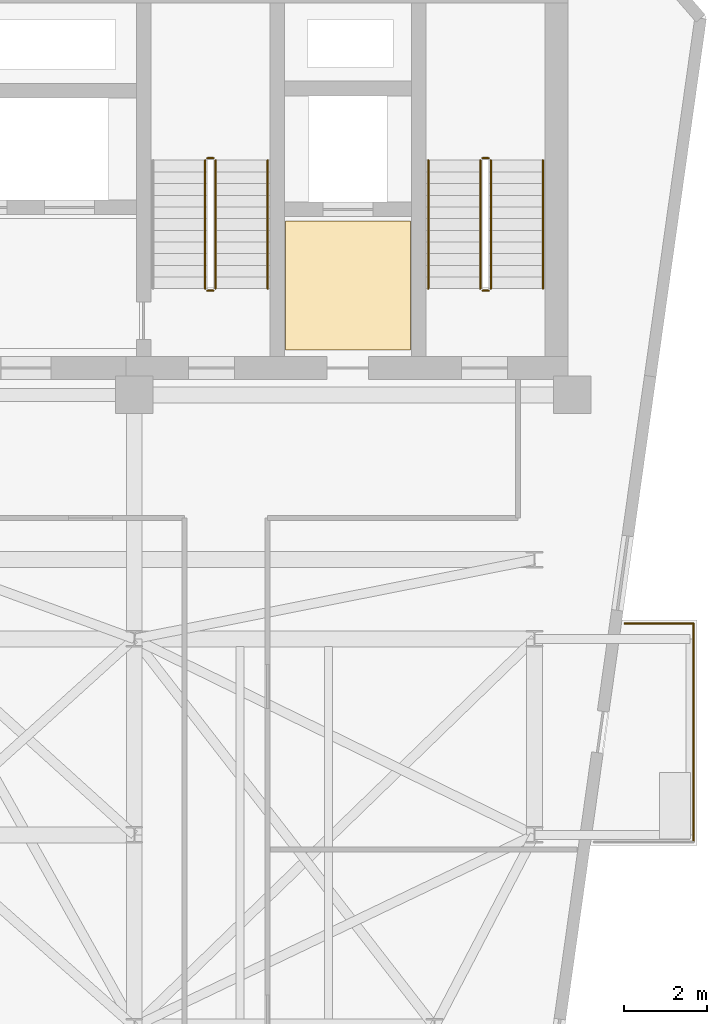
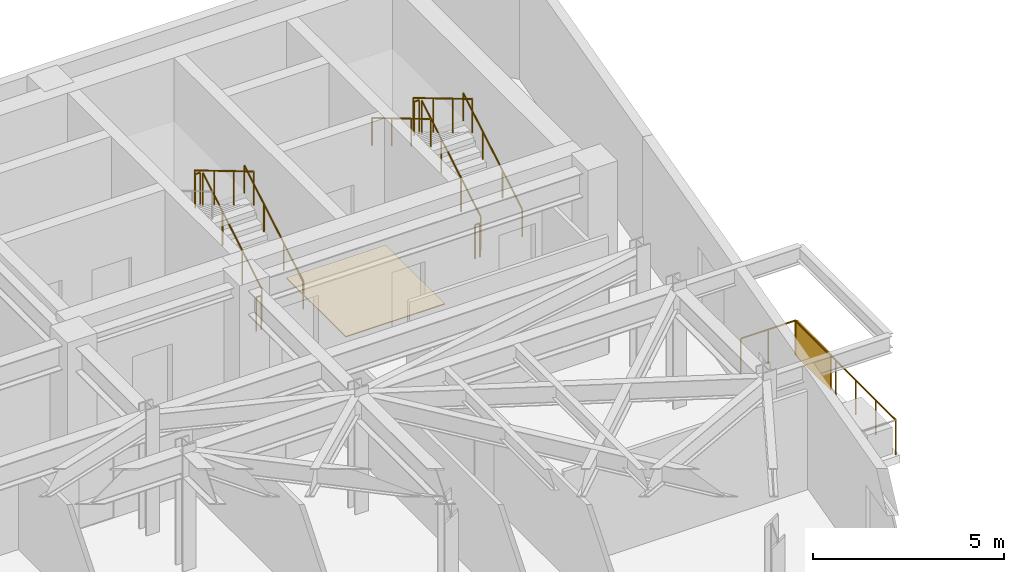
# One storey, part 21 of 21: 13 railings, 1 covering, 1 shading device.
"""IFC4 building model written with IfcOpenShell, lengths in metres."""

from ifc_helpers import new_model, si_unit, direction, frame, origin, origin_2d, place, context, subcontext, project, spatial, polyline, rectangle, circle, outline, extrude, material, layer, layer_set, type_object, element, save


model = new_model("IFC4")

# Units and contexts
model_context = context("Model", 3, precision=1e-05, world=origin(), true_north=direction((0.0, 1.0)))
body_context = subcontext(model_context, "Body", "Model", "MODEL_VIEW")
ifc_project = project(units=[si_unit("LENGTHUNIT", "METRE"), si_unit("AREAUNIT", "SQUARE_METRE"), si_unit("VOLUMEUNIT", "CUBIC_METRE"), si_unit("PLANEANGLEUNIT", "RADIAN"), si_unit("MASSUNIT", "GRAM", prefix="KILO")], contexts=[model_context])

# Site, building, storey
site_placement = place(None, origin())
site = spatial("IfcSite", under=ifc_project, at=site_placement, CompositionType="ELEMENT")
building_placement = place(site_placement, origin())
building = spatial("IfcBuilding", under=site, at=building_placement, Name="Kravanh Interchange Tower", CompositionType="ELEMENT")
storey_placement = place(building_placement, frame((0.0, 0.0, 200.5)))
storey = spatial("IfcBuildingStorey", under=building, at=storey_placement, Name="L48", CompositionType="ELEMENT", Elevation=200.5)

# Covering
ifc_material_1 = material(Name="Cementitious Terrazzo Tile")
ifc_layer_1 = layer(ifc_material_1, 0.030029296875)
ifc_layer_set_1 = layer_set([ifc_layer_1], Name="Honed Terrazzo Lobby Flooring 30mm")
covering_type = type_object("IfcCoveringType", Name="Honed Terrazzo Lobby Flooring 30mm", PredefinedType="FLOORING", material=ifc_layer_set_1)
covering_placement = place(storey_placement, origin())
element("IfcCovering", 1, at=covering_placement, inside=storey, type_object=covering_type, Name="L48 Service Lift Lobby Floor Finish", PredefinedType="FLOORING", context=body_context, shape_type="SweptSolid", body=[
    extrude(outline(polyline([(59.6298828125, 41.52001953125), (62.6201171875, 41.52001953125), (62.6201171875, 38.429931640625), (59.6298828125, 38.429931640625), (59.6298828125, 41.52001953125)])), origin(), (0.0, 0.0, 1.0), 0.030029296875),
])

# Shading device
ifc_material_2 = material(Name="Perforated Anodised Bronze Aluminium", Category="aluminium")
ifc_layer_2 = layer(ifc_material_2, 0.0400390625)
ifc_layer_set_2 = layer_set([ifc_layer_2], Name="Perforated Bronze Balcony Privacy Screen 1150mm")
shading_device_type = type_object("IfcShadingDeviceType", Name="Perforated Bronze Balcony Privacy Screen 1150mm", PredefinedType="USERDEFINED", material=ifc_layer_set_2)
shading_device_placement = place(storey_placement, frame((69.409912109375, 30.89990234375, 0.0), z_axis=(0.0, 0.0, 1.0), x_axis=(1.0, 0.0, 0.0)))
element("IfcShadingDevice", 2, at=shading_device_placement, inside=storey, type_object=shading_device_type, Name="L48 E Perforated Bronze BALCONY SCREEN", ObjectType="SCREEN", PredefinedType="USERDEFINED", context=body_context, shape_type="SweptSolid", body=[
    extrude(rectangle(XDim=0.0400390625, YDim=1.800048828125, at=origin_2d()), origin(), (0.0, 0.0, 1.0), 1.14990234375),
])

# Railings
ifc_material_3 = material(Name="Stainless Steel 316", Category="steel")
ifc_layer_3 = layer(ifc_material_3, 0.06005859375)
ifc_layer_set_3 = layer_set([ifc_layer_3], Name="Perimeter Balcony and Terrace Guardrail Stainless 316 1120mm")
railing_type_1 = type_object("IfcRailingType", Name="Perimeter Balcony and Terrace Guardrail Stainless 316 1120mm", PredefinedType="GUARDRAIL", material=ifc_layer_set_3)
railing_1_placement = place(storey_placement, frame((69.409912109375, 31.8701171875, 0.0)))
element("IfcRailing", 3, at=railing_1_placement, inside=storey, type_object=railing_type_1, Name="L48 E Balcony Guardrail 1", PredefinedType="GUARDRAIL", context=body_context, shape_type="SweptSolid", body=[
    extrude(circle(Radius=0.02392578125, at=origin_2d()), frame((0.0, 0.0, 1.09619140625), z_axis=(0.0, -1.0, 0.0), x_axis=(1.0, 0.0, 0.0)), (0.0, 0.0, 1.0), 5.240234375),
    extrude(circle(Radius=0.02099609375, at=origin_2d()), origin(), (0.0, 0.0, 1.0), 1.072021484375),
    extrude(circle(Radius=0.02099609375, at=origin_2d()), frame((0.0, -1.048095703125, 0.0)), (0.0, 0.0, 1.0), 1.072021484375),
    extrude(circle(Radius=0.02099609375, at=origin_2d()), frame((0.0, -2.09619140625, 0.0)), (0.0, 0.0, 1.0), 1.072021484375),
    extrude(circle(Radius=0.02099609375, at=origin_2d()), frame((0.0, -3.14404296875, 0.0)), (0.0, 0.0, 1.0), 1.072021484375),
    extrude(circle(Radius=0.02099609375, at=origin_2d()), frame((0.0, -4.192138671875, 0.0)), (0.0, 0.0, 1.0), 1.072021484375),
    extrude(circle(Radius=0.02099609375, at=origin_2d()), frame((0.0, -5.240234375, 0.0)), (0.0, 0.0, 1.0), 1.072021484375),
])
railing_2_placement = place(storey_placement, frame((67.7587890625, 31.8701171875, 0.0)))
element("IfcRailing", 4, at=railing_2_placement, inside=storey, type_object=railing_type_1, Name="L48 E Balcony Guardrail 3", PredefinedType="GUARDRAIL", context=body_context, shape_type="SweptSolid", body=[
    extrude(circle(Radius=0.02392578125, at=origin_2d()), frame((0.0, 0.0, 1.09619140625), z_axis=(1.0, 0.0, 0.0), x_axis=(0.0, 1.0, 0.0)), (0.0, 0.0, 1.0), 1.651123046875),
    extrude(circle(Radius=0.02099609375, at=origin_2d()), origin(), (0.0, 0.0, 1.0), 1.072021484375),
    extrude(circle(Radius=0.02099609375, at=origin_2d()), frame((0.82568359375, 0.0, 0.0)), (0.0, 0.0, 1.0), 1.072021484375),
    extrude(circle(Radius=0.02099609375, at=origin_2d()), frame((1.651123046875, 0.0, 0.0)), (0.0, 0.0, 1.0), 1.072021484375),
])
ifc_material_4 = material(Name="Structural Steel S355", Category="steel")
ifc_layer_4 = layer(ifc_material_4, 0.050048828125)
ifc_layer_set_4 = layer_set([ifc_layer_4], Name="Stair Well Guardrail Structural Steel S355 1100mm")
railing_type_2 = type_object("IfcRailingType", Name="Stair Well Guardrail Structural Steel S355 1100mm", PredefinedType="GUARDRAIL", material=ifc_layer_set_4)
railing_3_placement = place(storey_placement, frame((64.550048828125, 39.89990234375, 0.166748046875)))
element("IfcRailing", 5, at=railing_3_placement, inside=storey, type_object=railing_type_2, Name="L48 ST1 stair guard 1", PredefinedType="GUARDRAIL", context=body_context, shape_type="SweptSolid", body=[
    extrude(circle(Radius=0.02392578125, at=origin_2d()), frame((0.0, 0.0, 1.076171875), z_axis=(0.0, 0.859308565015, 0.511457515432), x_axis=(-1.0, 0.0, 0.0)), (0.0, 0.0, 1.0), 3.58447265625),
    extrude(circle(Radius=0.02099609375, at=origin_2d()), origin(), (0.0, 0.0, 1.0), 1.052001953125),
    extrude(circle(Radius=0.02099609375, at=origin_2d()), frame((0.0, 1.026611328125, 0.611083984375)), (0.0, 0.0, 1.0), 1.052001953125),
    extrude(circle(Radius=0.02099609375, at=origin_2d()), frame((0.0, 2.053466796875, 1.22216796875)), (0.0, 0.0, 1.0), 1.052001953125),
    extrude(circle(Radius=0.02099609375, at=origin_2d()), frame((0.0, 3.080078125, 1.833251953125)), (0.0, 0.0, 1.0), 1.052001953125),
])
railing_4_placement = place(storey_placement, frame((64.5, 43.030029296875, 2.0)))
element("IfcRailing", 6, at=railing_4_placement, inside=storey, type_object=railing_type_2, Name="L48 ST1 stair guard 2", PredefinedType="GUARDRAIL", context=body_context, shape_type="SweptSolid", body=[
    extrude(circle(Radius=0.02392578125, at=origin_2d()), frame((0.0, 0.0, 1.076171875), z_axis=(-1.0, 0.0, 0.0), x_axis=(0.0, -1.0, 0.0)), (0.0, 0.0, 1.0), 0.14990234375),
    extrude(circle(Radius=0.02099609375, at=origin_2d()), origin(), (0.0, 0.0, 1.0), 1.052001953125),
    extrude(circle(Radius=0.02099609375, at=origin_2d()), frame((-0.14990234375, 0.0, 0.0)), (0.0, 0.0, 1.0), 1.052001953125),
])
railing_5_placement = place(storey_placement, frame((64.300048828125, 42.97998046875, 2.166748046875)))
element("IfcRailing", 7, at=railing_5_placement, inside=storey, type_object=railing_type_2, Name="L48 ST1 stair guard 3", PredefinedType="GUARDRAIL", context=body_context, shape_type="SweptSolid", body=[
    extrude(circle(Radius=0.02392578125, at=origin_2d()), frame((0.0, 0.0, 1.076171875), z_axis=(0.0, -0.859308565015, 0.511457515432), x_axis=(1.0, 0.0, 0.0)), (0.0, 0.0, 1.0), 3.58447265625),
    extrude(circle(Radius=0.02099609375, at=origin_2d()), origin(), (0.0, 0.0, 1.0), 1.052001953125),
    extrude(circle(Radius=0.02099609375, at=origin_2d()), frame((0.0, -1.026611328125, 0.611083984375)), (0.0, 0.0, 1.0), 1.052001953125),
    extrude(circle(Radius=0.02099609375, at=origin_2d()), frame((0.0, -2.053466796875, 1.22216796875)), (0.0, 0.0, 1.0), 1.052001953125),
    extrude(circle(Radius=0.02099609375, at=origin_2d()), frame((0.0, -3.080078125, 1.833251953125)), (0.0, 0.0, 1.0), 1.052001953125),
])
railing_6_placement = place(storey_placement, frame((64.5, 39.85009765625, 0.0)))
element("IfcRailing", 8, at=railing_6_placement, inside=storey, type_object=railing_type_2, Name="L48 ST1 stair guard 4", PredefinedType="GUARDRAIL", context=body_context, shape_type="SweptSolid", body=[
    extrude(circle(Radius=0.02392578125, at=origin_2d()), frame((0.0, 0.0, 1.076171875), z_axis=(-1.0, 0.0, 0.0), x_axis=(0.0, -1.0, 0.0)), (0.0, 0.0, 1.0), 0.14990234375),
    extrude(circle(Radius=0.02099609375, at=origin_2d()), origin(), (0.0, 0.0, 1.0), 1.052001953125),
    extrude(circle(Radius=0.02099609375, at=origin_2d()), frame((-0.14990234375, 0.0, 0.0)), (0.0, 0.0, 1.0), 1.052001953125),
])
railing_7_placement = place(storey_placement, frame((57.949951171875, 39.89990234375, 0.166748046875)))
element("IfcRailing", 9, at=railing_7_placement, inside=storey, type_object=railing_type_2, Name="L48 ST2 stair guard 1", PredefinedType="GUARDRAIL", context=body_context, shape_type="SweptSolid", body=[
    extrude(circle(Radius=0.02392578125, at=origin_2d()), frame((0.0, 0.0, 1.076171875), z_axis=(0.0, 0.859308565015, 0.511457515432), x_axis=(-1.0, 0.0, 0.0)), (0.0, 0.0, 1.0), 3.58447265625),
    extrude(circle(Radius=0.02099609375, at=origin_2d()), origin(), (0.0, 0.0, 1.0), 1.052001953125),
    extrude(circle(Radius=0.02099609375, at=origin_2d()), frame((0.0, 1.026611328125, 0.611083984375)), (0.0, 0.0, 1.0), 1.052001953125),
    extrude(circle(Radius=0.02099609375, at=origin_2d()), frame((0.0, 2.053466796875, 1.22216796875)), (0.0, 0.0, 1.0), 1.052001953125),
    extrude(circle(Radius=0.02099609375, at=origin_2d()), frame((0.0, 3.080078125, 1.833251953125)), (0.0, 0.0, 1.0), 1.052001953125),
])
railing_8_placement = place(storey_placement, frame((57.89990234375, 43.030029296875, 2.0)))
element("IfcRailing", 10, at=railing_8_placement, inside=storey, type_object=railing_type_2, Name="L48 ST2 stair guard 2", PredefinedType="GUARDRAIL", context=body_context, shape_type="SweptSolid", body=[
    extrude(circle(Radius=0.02392578125, at=origin_2d()), frame((0.0, 0.0, 1.076171875), z_axis=(-1.0, 0.0, 0.0), x_axis=(0.0, -1.0, 0.0)), (0.0, 0.0, 1.0), 0.14990234375),
    extrude(circle(Radius=0.02099609375, at=origin_2d()), origin(), (0.0, 0.0, 1.0), 1.052001953125),
    extrude(circle(Radius=0.02099609375, at=origin_2d()), frame((-0.14990234375, 0.0, 0.0)), (0.0, 0.0, 1.0), 1.052001953125),
])
railing_9_placement = place(storey_placement, frame((57.699951171875, 42.97998046875, 2.166748046875)))
element("IfcRailing", 11, at=railing_9_placement, inside=storey, type_object=railing_type_2, Name="L48 ST2 stair guard 3", PredefinedType="GUARDRAIL", context=body_context, shape_type="SweptSolid", body=[
    extrude(circle(Radius=0.02392578125, at=origin_2d()), frame((0.0, 0.0, 1.076171875), z_axis=(0.0, -0.859308565015, 0.511457515432), x_axis=(1.0, 0.0, 0.0)), (0.0, 0.0, 1.0), 3.58447265625),
    extrude(circle(Radius=0.02099609375, at=origin_2d()), origin(), (0.0, 0.0, 1.0), 1.052001953125),
    extrude(circle(Radius=0.02099609375, at=origin_2d()), frame((0.0, -1.026611328125, 0.611083984375)), (0.0, 0.0, 1.0), 1.052001953125),
    extrude(circle(Radius=0.02099609375, at=origin_2d()), frame((0.0, -2.053466796875, 1.22216796875)), (0.0, 0.0, 1.0), 1.052001953125),
    extrude(circle(Radius=0.02099609375, at=origin_2d()), frame((0.0, -3.080078125, 1.833251953125)), (0.0, 0.0, 1.0), 1.052001953125),
])
railing_10_placement = place(storey_placement, frame((57.89990234375, 39.85009765625, 0.0)))
element("IfcRailing", 12, at=railing_10_placement, inside=storey, type_object=railing_type_2, Name="L48 ST2 stair guard 4", PredefinedType="GUARDRAIL", context=body_context, shape_type="SweptSolid", body=[
    extrude(circle(Radius=0.02392578125, at=origin_2d()), frame((0.0, 0.0, 1.076171875), z_axis=(-1.0, 0.0, 0.0), x_axis=(0.0, -1.0, 0.0)), (0.0, 0.0, 1.0), 0.14990234375),
    extrude(circle(Radius=0.02099609375, at=origin_2d()), origin(), (0.0, 0.0, 1.0), 1.052001953125),
    extrude(circle(Radius=0.02099609375, at=origin_2d()), frame((-0.14990234375, 0.0, 0.0)), (0.0, 0.0, 1.0), 1.052001953125),
])
ifc_material_5 = material(Name="Stainless Steel 304", Category="steel")
ifc_layer_5 = layer(ifc_material_5, 0.044921875)
ifc_layer_set_5 = layer_set([ifc_layer_5], Name="Tubular Stair Handrail Stainless 304 900mm")
railing_type_3 = type_object("IfcRailingType", Name="Tubular Stair Handrail Stainless 304 900mm", PredefinedType="HANDRAIL", material=ifc_layer_set_5)
railing_11_placement = place(storey_placement, frame((65.800048828125, 39.89990234375, 0.166748046875)))
element("IfcRailing", 13, at=railing_11_placement, inside=storey, type_object=railing_type_3, Name="L48 ST1 stair handrail 1", PredefinedType="HANDRAIL", context=body_context, shape_type="SweptSolid", body=[
    extrude(circle(Radius=0.02392578125, at=origin_2d()), frame((0.0, 0.0, 0.8759765625), z_axis=(0.0, 0.859308565015, 0.511457515432), x_axis=(-1.0, 0.0, 0.0)), (0.0, 0.0, 1.0), 3.58447265625),
    extrude(circle(Radius=0.02099609375, at=origin_2d()), origin(), (0.0, 0.0, 1.0), 0.851806640625),
    extrude(circle(Radius=0.02099609375, at=origin_2d()), frame((0.0, 1.026611328125, 0.611083984375)), (0.0, 0.0, 1.0), 0.851806640625),
    extrude(circle(Radius=0.02099609375, at=origin_2d()), frame((0.0, 2.053466796875, 1.22216796875)), (0.0, 0.0, 1.0), 0.851806640625),
    extrude(circle(Radius=0.02099609375, at=origin_2d()), frame((0.0, 3.080078125, 1.833251953125)), (0.0, 0.0, 1.0), 0.851806640625),
])
railing_12_placement = place(storey_placement, frame((63.050048828125, 42.97998046875, 2.166748046875)))
element("IfcRailing", 14, at=railing_12_placement, inside=storey, type_object=railing_type_3, Name="L48 ST1 stair handrail 2", PredefinedType="HANDRAIL", context=body_context, shape_type="SweptSolid", body=[
    extrude(circle(Radius=0.02392578125, at=origin_2d()), frame((0.0, 0.0, 0.8759765625), z_axis=(0.0, -0.859308565015, 0.511457515432), x_axis=(1.0, 0.0, 0.0)), (0.0, 0.0, 1.0), 3.58447265625),
    extrude(circle(Radius=0.02099609375, at=origin_2d()), origin(), (0.0, 0.0, 1.0), 0.851806640625),
    extrude(circle(Radius=0.02099609375, at=origin_2d()), frame((0.0, -1.026611328125, 0.611083984375)), (0.0, 0.0, 1.0), 0.851806640625),
    extrude(circle(Radius=0.02099609375, at=origin_2d()), frame((0.0, -2.053466796875, 1.22216796875)), (0.0, 0.0, 1.0), 0.851806640625),
    extrude(circle(Radius=0.02099609375, at=origin_2d()), frame((0.0, -3.080078125, 1.833251953125)), (0.0, 0.0, 1.0), 0.851806640625),
])
railing_13_placement = place(storey_placement, frame((59.199951171875, 39.89990234375, 0.166748046875)))
element("IfcRailing", 15, at=railing_13_placement, inside=storey, type_object=railing_type_3, Name="L48 ST2 stair handrail 1", PredefinedType="HANDRAIL", context=body_context, shape_type="SweptSolid", body=[
    extrude(circle(Radius=0.02392578125, at=origin_2d()), frame((0.0, 0.0, 0.8759765625), z_axis=(0.0, 0.859308565015, 0.511457515432), x_axis=(-1.0, 0.0, 0.0)), (0.0, 0.0, 1.0), 3.58447265625),
    extrude(circle(Radius=0.02099609375, at=origin_2d()), origin(), (0.0, 0.0, 1.0), 0.851806640625),
    extrude(circle(Radius=0.02099609375, at=origin_2d()), frame((0.0, 1.026611328125, 0.611083984375)), (0.0, 0.0, 1.0), 0.851806640625),
    extrude(circle(Radius=0.02099609375, at=origin_2d()), frame((0.0, 2.053466796875, 1.22216796875)), (0.0, 0.0, 1.0), 0.851806640625),
    extrude(circle(Radius=0.02099609375, at=origin_2d()), frame((0.0, 3.080078125, 1.833251953125)), (0.0, 0.0, 1.0), 0.851806640625),
])

save(model, "model.ifc")
